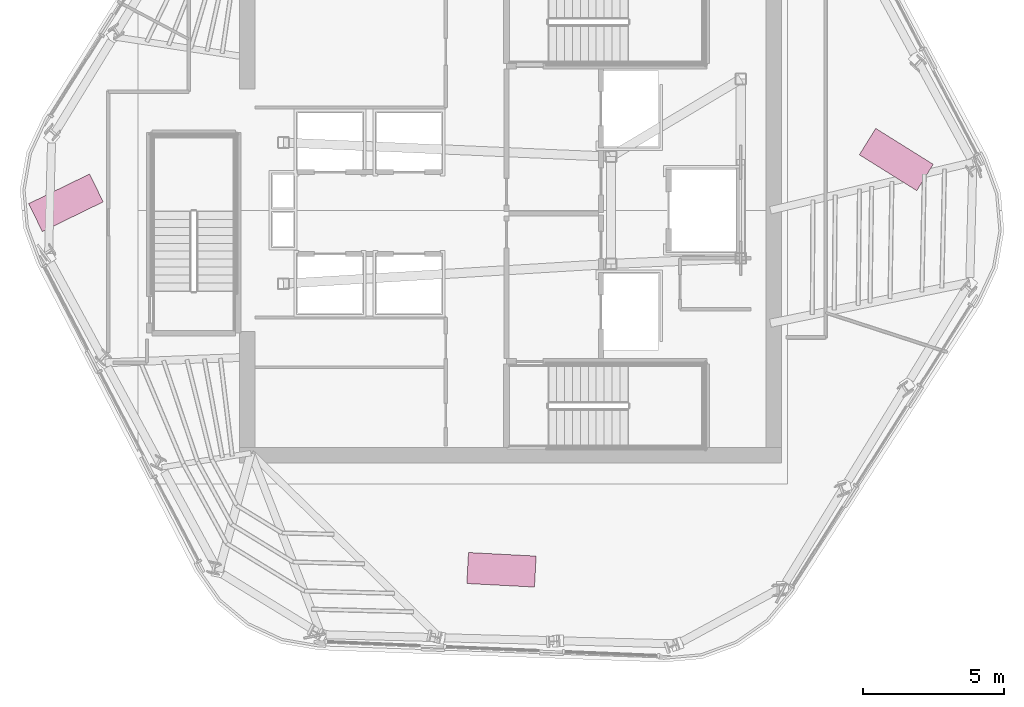
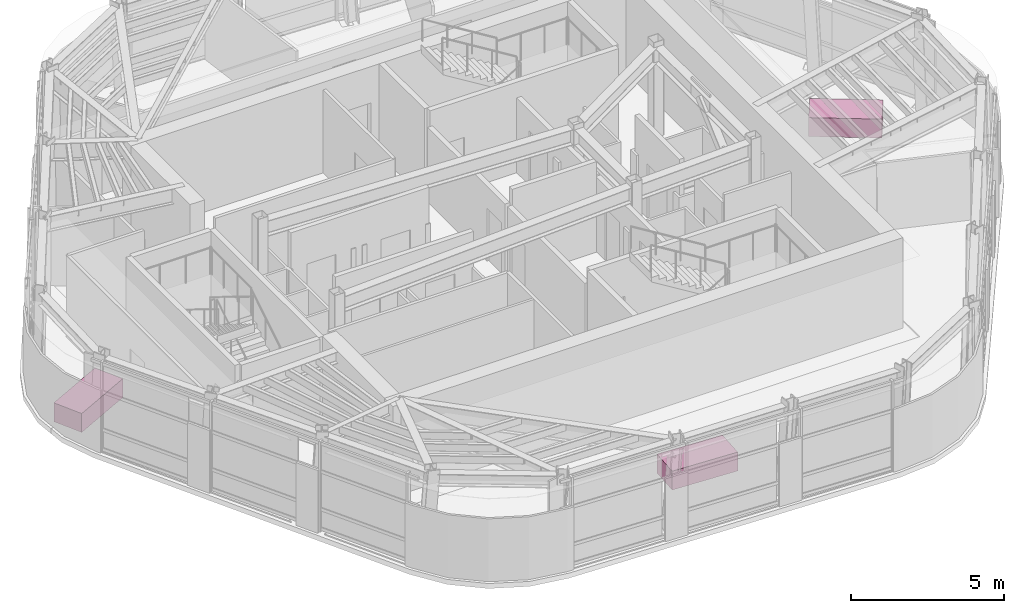
# One storey, part 13 of 13: 3 furniture elements.
"""IFC4 building model written with IfcOpenShell, lengths in metres."""

import ifcopenshell
import ifcopenshell.guid

model = None  # the IFC model being written
_history = None  # IfcOwnerHistory: only IFC2X3 demands one
_inside = {}  # id of a spatial element -> (the spatial element, [elements in it])
_under = {}  # id of a project, library or spatial element -> (it, [spatial elements below it])
_declared = {}  # id of a project -> (the project, [libraries it declares])
_typed = {}  # id of a type object -> (the type object, [elements of that type])
_made_of = {}  # id of a material, layer set ... -> (it, [elements and type objects made of it])


def new_model(schema):
    """Start an empty IFC model of exactly this schema.

    Asked for "IFC4X3", IfcOpenShell would pick the latest addendum, in which some entities
    have other attributes; the version numbers below select the first issue.
    IFC2X3 requires an IfcOwnerHistory on every rooted entity: one is made here for all.
    """
    global model, _history
    if schema == "IFC4X3":
        model = ifcopenshell.file(schema_version=(4, 3, 0, 0))
    else:
        model = ifcopenshell.file(schema=schema)
    _inside.clear()
    _under.clear()
    _declared.clear()
    _typed.clear()
    _made_of.clear()
    _history = None
    if model.schema == "IFC2X3":
        org = make("IfcOrganization", Name="unknown")
        user = make(
            "IfcPersonAndOrganization",
            ThePerson=make("IfcPerson", FamilyName="unknown"),
            TheOrganization=org,
        )
        app = make(
            "IfcApplication",
            ApplicationDeveloper=org,
            Version="unknown",
            ApplicationFullName="unknown",
            ApplicationIdentifier="unknown",
        )
        _history = make(
            "IfcOwnerHistory",
            OwningUser=user,
            OwningApplication=app,
            ChangeAction="ADDED",
            CreationDate=0,
        )
    return model


def make(cls, **values):
    """One entity of the class cls with the attributes given. An attribute that is None is left unset."""
    return model.create_entity(
        cls, **{name: value for name, value in values.items() if value is not None}
    )


def rooted(cls, **values):
    """An entity with a GlobalId (a new one), such as an element, a storey or a relation."""
    return make(cls, GlobalId=ifcopenshell.guid.new(), OwnerHistory=_history, **values)


def si_unit(unit_type, name, prefix=None):
    """IfcSIUnit, for example si_unit("LENGTHUNIT", "METRE", prefix="MILLI")."""
    return make("IfcSIUnit", UnitType=unit_type, Prefix=prefix, Name=name)


def assignment(units):
    """IfcUnitAssignment: the units of a project."""
    return None if units is None else make("IfcUnitAssignment", Units=units)


def point(xyz):
    """IfcCartesianPoint."""
    return None if xyz is None else make("IfcCartesianPoint", Coordinates=xyz)


def direction(xyz):
    """IfcDirection."""
    return None if xyz is None else make("IfcDirection", DirectionRatios=xyz)


def frame(location, z_axis=None, x_axis=None):
    """IfcAxis2Placement3D, a coordinate frame: its origin and axes. An axis left out is left unset."""
    return make(
        "IfcAxis2Placement3D",
        Location=point(location),
        Axis=direction(z_axis),
        RefDirection=direction(x_axis),
    )


def frame_2d(location, x_axis=None):
    """IfcAxis2Placement2D, a coordinate frame in the plane: its origin and x axis."""
    return make(
        "IfcAxis2Placement2D", Location=point(location), RefDirection=direction(x_axis)
    )


def origin():
    """The frame at (0, 0, 0) with its axes left unset."""
    return frame((0.0, 0.0, 0.0))


def origin_2d():
    """The frame at (0, 0) in the plane with its x axis left unset."""
    return frame_2d((0.0, 0.0))


def place(relative_to, where):
    """IfcLocalPlacement: puts the frame where relative to a parent placement (None: the world)."""
    return make(
        "IfcLocalPlacement", PlacementRelTo=relative_to, RelativePlacement=where
    )


def context(
    kind, dimensions, precision=None, world=None, true_north=None, identifier=None
):
    """IfcGeometricRepresentationContext, for example the 3D "Model" context."""
    return make(
        "IfcGeometricRepresentationContext",
        ContextIdentifier=identifier,
        ContextType=kind,
        CoordinateSpaceDimension=dimensions,
        Precision=precision,
        WorldCoordinateSystem=world,
        TrueNorth=true_north,
    )


def subcontext(parent, identifier, kind, view, scale=None):
    """IfcGeometricRepresentationSubContext, for example "Body" below "Model"."""
    return make(
        "IfcGeometricRepresentationSubContext",
        ContextIdentifier=identifier,
        ContextType=kind,
        ParentContext=parent,
        TargetScale=scale,
        TargetView=view,
    )


def project(units=None, contexts=None):
    """IfcProject with its units and contexts."""
    return rooted(
        "IfcProject",
        Name="project",
        RepresentationContexts=contexts,
        UnitsInContext=assignment(units),
    )


def spatial(cls, under=None, at=None, **own):
    """A site, building, storey or space (cls), placed at a placement, below another one or the project."""
    s = rooted(cls, ObjectPlacement=at, **own)
    if under is not None:
        _under.setdefault(under.id(), (under, []))[1].append(s)
    return s


def profile(cls, at=None, kind="AREA", **sizes):
    """A parametric profile (cls). Its sizes go by their IFC names, for example OverallWidth=200.0."""
    return make(cls, ProfileType=kind, Position=at, **sizes)


def rectangle(**sizes):
    """IfcRectangleProfileDef."""
    return profile("IfcRectangleProfileDef", **sizes)


def extrude(swept, where, along, depth):
    """IfcExtrudedAreaSolid: the profile swept, set in the frame where, extruded along a direction by depth."""
    return make(
        "IfcExtrudedAreaSolid",
        SweptArea=swept,
        Position=where,
        ExtrudedDirection=direction(along),
        Depth=depth,
    )


def shape(context_of_items, identifier, shape_type, items):
    """IfcShapeRepresentation: the items that make up one representation, for example the "Body"."""
    return make(
        "IfcShapeRepresentation",
        ContextOfItems=context_of_items,
        RepresentationIdentifier=identifier,
        RepresentationType=shape_type,
        Items=items,
    )


def material(Name=None, Category=None):
    """IfcMaterial."""
    return make("IfcMaterial", Name=Name, Category=Category)


def made_of(thing, what):
    """Note that an element or type object is made of a material, layer set ...; save() writes the relation."""
    if what is not None:
        _made_of.setdefault(what.id(), (what, []))[1].append(thing)
    return thing


def type_object(cls, material=None, **own):
    """A type object (cls), such as IfcWallType, which elements share."""
    return made_of(rooted(cls, **own), material)


def element(
    cls,
    number,
    at=None,
    inside=None,
    cuts=None,
    type_object=None,
    material=None,
    context=None,
    identifier="Body",
    shape_type=None,
    held_by="IfcProductDefinitionShape",
    body=None,
    shapes=None,
    **own,
):
    """One element of the class cls, such as IfcWall. Its Tag is "e" and its number.

    at: its placement. inside: the storey or other place that contains it. cuts: it is an
    opening in that element (IfcRelVoidsElement). A single representation is given by context,
    identifier, shape_type and body (its items); several are given by shapes. held_by: the class
    of the entity that holds the representations. save() writes the other relations.
    """
    e = rooted(cls, Tag="e%d" % number, ObjectPlacement=at, **own)
    if body is not None:
        shapes = [shape(context, identifier, shape_type, body)]
    if shapes is not None:
        e.Representation = make(held_by, Representations=shapes)
    if inside is not None:
        _inside.setdefault(inside.id(), (inside, []))[1].append(e)
    if cuts is not None:
        rooted(
            "IfcRelVoidsElement", RelatingBuildingElement=cuts, RelatedOpeningElement=e
        )
    if type_object is not None:
        _typed.setdefault(type_object.id(), (type_object, []))[1].append(e)
    return made_of(e, material)


def aggregate(whole, parts):
    """IfcRelAggregates: a whole, such as a stair, and the parts it consists of."""
    return rooted("IfcRelAggregates", RelatingObject=whole, RelatedObjects=parts)


def save(model, path):
    """Write the relations noted so far, then the file.

    IfcRelAggregates (storeys below a building ...), IfcRelContainedInSpatialStructure (elements
    in a storey), IfcRelDefinesByType, IfcRelAssociatesMaterial and IfcRelDeclares: one each for
    every whole, place, type object, material and project.
    """
    for whole, parts in _under.values():
        aggregate(whole, parts)
    for where, things in _inside.values():
        rooted(
            "IfcRelContainedInSpatialStructure",
            RelatedElements=things,
            RelatingStructure=where,
        )
    for kind, things in _typed.values():
        rooted("IfcRelDefinesByType", RelatedObjects=things, RelatingType=kind)
    for what, things in _made_of.values():
        rooted("IfcRelAssociatesMaterial", RelatedObjects=things, RelatingMaterial=what)
    for by, libraries in _declared.values():
        rooted("IfcRelDeclares", RelatingContext=by, RelatedDefinitions=libraries)
    model.write(path)


model = new_model("IFC4")

# Units and contexts
model_context = context("Model", 3, precision=1e-05, world=origin(), true_north=direction((0.0, 1.0)))
body_context = subcontext(model_context, "Body", "Model", "MODEL_VIEW")
ifc_project = project(units=[si_unit("LENGTHUNIT", "METRE"), si_unit("AREAUNIT", "SQUARE_METRE"), si_unit("VOLUMEUNIT", "CUBIC_METRE"), si_unit("PLANEANGLEUNIT", "RADIAN"), si_unit("MASSUNIT", "GRAM", prefix="KILO")], contexts=[model_context])

# Site, building, storey
site_placement = place(None, origin())
site = spatial("IfcSite", under=ifc_project, at=site_placement, CompositionType="ELEMENT")
building_placement = place(site_placement, origin())
building = spatial("IfcBuilding", under=site, at=building_placement, Name="Valkerne Bourse Tower", CompositionType="ELEMENT")
storey_placement = place(building_placement, frame((0.0, 0.0, 273.60009765625)))
storey = spatial("IfcBuildingStorey", under=building, at=storey_placement, Name="L69", CompositionType="ELEMENT", Elevation=273.60009765625)

# Furniture
ifc_material = material(Name="Architectural White Oak Timber", Category="wood")
furniture_type = type_object("IfcFurnitureType", Name="FURN-DESK-2400", AssemblyPlace="NOTDEFINED", PredefinedType="DESK", material=ifc_material)
for number, where, z_axis, x_axis, name in (
    (1, (60.45703125, 28.797119140625, 0.044921875), (0.0, 0.0, 1.0), (-0.848048096156, 0.529919264233, 0.0), "L69 Suite Worktable 05"),
    (2, (46.47412109375, 14.26611328125, 0.044921875), (0.0, 0.0, 1.0), (-0.998629534755, 0.052335956243, 0.0), "L69 Suite Worktable 06"),
    (3, (31.047119140625, 27.26611328125, 0.044921875), (0.0, 0.0, 1.0), (0.898794046299, 0.438371146789, 0.0), "L69 Suite Worktable 07"),
):
    element("IfcFurniture", number, at=place(storey_placement, frame(where, z_axis=z_axis, x_axis=x_axis)), inside=storey, type_object=furniture_type, Name=name, PredefinedType="DESK", context=body_context, shape_type="SweptSolid", body=[
        extrude(rectangle(XDim=2.39990234375, YDim=1.10009765625, at=origin_2d()), origin(), (0.0, 0.0, 1.0), 0.75),
    ])

save(model, "model.ifc")
